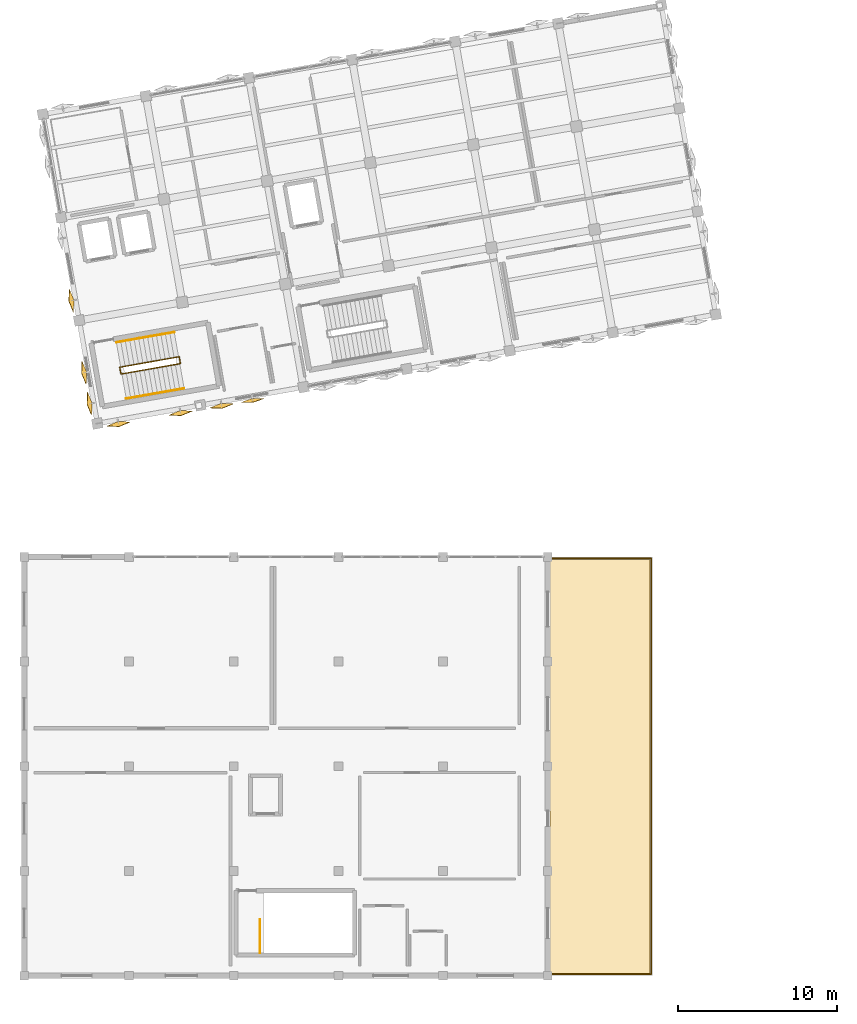
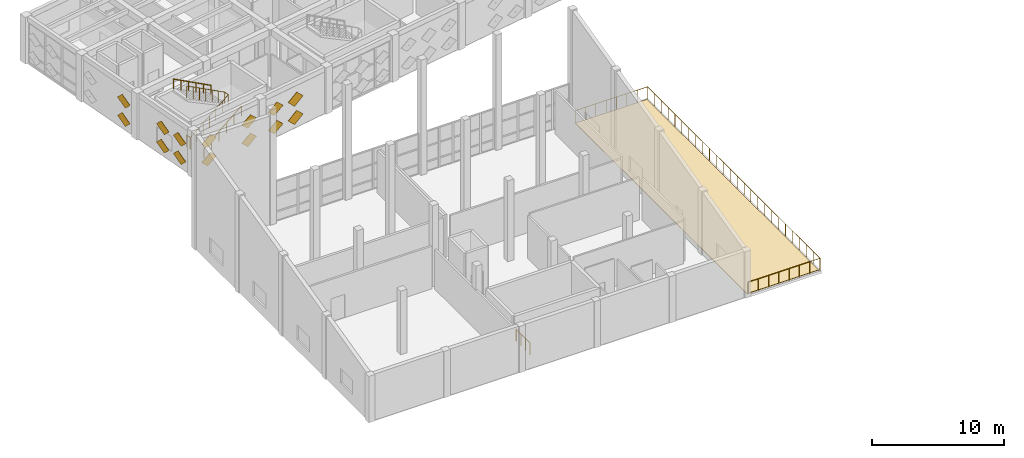
# One storey, part 36 of 39: 15 coverings, 6 railings.
"""IFC4 building model written with IfcOpenShell, lengths in metres."""

import ifcopenshell
import ifcopenshell.guid

model = None  # the IFC model being written
_history = None  # IfcOwnerHistory: only IFC2X3 demands one
_inside = {}  # id of a spatial element -> (the spatial element, [elements in it])
_under = {}  # id of a project, library or spatial element -> (it, [spatial elements below it])
_declared = {}  # id of a project -> (the project, [libraries it declares])
_typed = {}  # id of a type object -> (the type object, [elements of that type])
_made_of = {}  # id of a material, layer set ... -> (it, [elements and type objects made of it])


def new_model(schema):
    """Start an empty IFC model of exactly this schema.

    Asked for "IFC4X3", IfcOpenShell would pick the latest addendum, in which some entities
    have other attributes; the version numbers below select the first issue.
    IFC2X3 requires an IfcOwnerHistory on every rooted entity: one is made here for all.
    """
    global model, _history
    if schema == "IFC4X3":
        model = ifcopenshell.file(schema_version=(4, 3, 0, 0))
    else:
        model = ifcopenshell.file(schema=schema)
    _inside.clear()
    _under.clear()
    _declared.clear()
    _typed.clear()
    _made_of.clear()
    _history = None
    if model.schema == "IFC2X3":
        org = make("IfcOrganization", Name="unknown")
        user = make(
            "IfcPersonAndOrganization",
            ThePerson=make("IfcPerson", FamilyName="unknown"),
            TheOrganization=org,
        )
        app = make(
            "IfcApplication",
            ApplicationDeveloper=org,
            Version="unknown",
            ApplicationFullName="unknown",
            ApplicationIdentifier="unknown",
        )
        _history = make(
            "IfcOwnerHistory",
            OwningUser=user,
            OwningApplication=app,
            ChangeAction="ADDED",
            CreationDate=0,
        )
    return model


def make(cls, **values):
    """One entity of the class cls with the attributes given. An attribute that is None is left unset."""
    return model.create_entity(
        cls, **{name: value for name, value in values.items() if value is not None}
    )


def rooted(cls, **values):
    """An entity with a GlobalId (a new one), such as an element, a storey or a relation."""
    return make(cls, GlobalId=ifcopenshell.guid.new(), OwnerHistory=_history, **values)


def si_unit(unit_type, name, prefix=None):
    """IfcSIUnit, for example si_unit("LENGTHUNIT", "METRE", prefix="MILLI")."""
    return make("IfcSIUnit", UnitType=unit_type, Prefix=prefix, Name=name)


def assignment(units):
    """IfcUnitAssignment: the units of a project."""
    return None if units is None else make("IfcUnitAssignment", Units=units)


def point(xyz):
    """IfcCartesianPoint."""
    return None if xyz is None else make("IfcCartesianPoint", Coordinates=xyz)


def direction(xyz):
    """IfcDirection."""
    return None if xyz is None else make("IfcDirection", DirectionRatios=xyz)


def frame(location, z_axis=None, x_axis=None):
    """IfcAxis2Placement3D, a coordinate frame: its origin and axes. An axis left out is left unset."""
    return make(
        "IfcAxis2Placement3D",
        Location=point(location),
        Axis=direction(z_axis),
        RefDirection=direction(x_axis),
    )


def frame_2d(location, x_axis=None):
    """IfcAxis2Placement2D, a coordinate frame in the plane: its origin and x axis."""
    return make(
        "IfcAxis2Placement2D", Location=point(location), RefDirection=direction(x_axis)
    )


def origin():
    """The frame at (0, 0, 0) with its axes left unset."""
    return frame((0.0, 0.0, 0.0))


def origin_2d():
    """The frame at (0, 0) in the plane with its x axis left unset."""
    return frame_2d((0.0, 0.0))


def place(relative_to, where):
    """IfcLocalPlacement: puts the frame where relative to a parent placement (None: the world)."""
    return make(
        "IfcLocalPlacement", PlacementRelTo=relative_to, RelativePlacement=where
    )


def context(
    kind, dimensions, precision=None, world=None, true_north=None, identifier=None
):
    """IfcGeometricRepresentationContext, for example the 3D "Model" context."""
    return make(
        "IfcGeometricRepresentationContext",
        ContextIdentifier=identifier,
        ContextType=kind,
        CoordinateSpaceDimension=dimensions,
        Precision=precision,
        WorldCoordinateSystem=world,
        TrueNorth=true_north,
    )


def subcontext(parent, identifier, kind, view, scale=None):
    """IfcGeometricRepresentationSubContext, for example "Body" below "Model"."""
    return make(
        "IfcGeometricRepresentationSubContext",
        ContextIdentifier=identifier,
        ContextType=kind,
        ParentContext=parent,
        TargetScale=scale,
        TargetView=view,
    )


def project(units=None, contexts=None):
    """IfcProject with its units and contexts."""
    return rooted(
        "IfcProject",
        Name="project",
        RepresentationContexts=contexts,
        UnitsInContext=assignment(units),
    )


def spatial(cls, under=None, at=None, **own):
    """A site, building, storey or space (cls), placed at a placement, below another one or the project."""
    s = rooted(cls, ObjectPlacement=at, **own)
    if under is not None:
        _under.setdefault(under.id(), (under, []))[1].append(s)
    return s


def polyline(points):
    """IfcPolyline through the points."""
    return make("IfcPolyline", Points=[point(p) for p in points])


def profile(cls, at=None, kind="AREA", **sizes):
    """A parametric profile (cls). Its sizes go by their IFC names, for example OverallWidth=200.0."""
    return make(cls, ProfileType=kind, Position=at, **sizes)


def circle(**sizes):
    """IfcCircleProfileDef."""
    return profile("IfcCircleProfileDef", **sizes)


def outline(outer, holes=None, kind="AREA"):
    """IfcArbitraryClosedProfileDef: a profile drawn as a closed curve; with holes, ...WithVoids."""
    if holes is None:
        return make("IfcArbitraryClosedProfileDef", ProfileType=kind, OuterCurve=outer)
    return make(
        "IfcArbitraryProfileDefWithVoids",
        ProfileType=kind,
        OuterCurve=outer,
        InnerCurves=holes,
    )


def extrude(swept, where, along, depth):
    """IfcExtrudedAreaSolid: the profile swept, set in the frame where, extruded along a direction by depth."""
    return make(
        "IfcExtrudedAreaSolid",
        SweptArea=swept,
        Position=where,
        ExtrudedDirection=direction(along),
        Depth=depth,
    )


def shape(context_of_items, identifier, shape_type, items):
    """IfcShapeRepresentation: the items that make up one representation, for example the "Body"."""
    return make(
        "IfcShapeRepresentation",
        ContextOfItems=context_of_items,
        RepresentationIdentifier=identifier,
        RepresentationType=shape_type,
        Items=items,
    )


def material(Name=None, Category=None):
    """IfcMaterial."""
    return make("IfcMaterial", Name=Name, Category=Category)


def layer(
    of_material, thickness, ventilated=None, Name=None, Category=None, Priority=None
):
    """IfcMaterialLayer: one layer of a wall or slab, of a material (None: an air gap)."""
    return make(
        "IfcMaterialLayer",
        Material=of_material,
        LayerThickness=thickness,
        IsVentilated=ventilated,
        Name=Name,
        Category=Category,
        Priority=Priority,
    )


def layer_set(layers, Name=None):
    """IfcMaterialLayerSet."""
    return make("IfcMaterialLayerSet", MaterialLayers=layers, LayerSetName=Name)


def made_of(thing, what):
    """Note that an element or type object is made of a material, layer set ...; save() writes the relation."""
    if what is not None:
        _made_of.setdefault(what.id(), (what, []))[1].append(thing)
    return thing


def type_object(cls, material=None, **own):
    """A type object (cls), such as IfcWallType, which elements share."""
    return made_of(rooted(cls, **own), material)


def element(
    cls,
    number,
    at=None,
    inside=None,
    cuts=None,
    type_object=None,
    material=None,
    context=None,
    identifier="Body",
    shape_type=None,
    held_by="IfcProductDefinitionShape",
    body=None,
    shapes=None,
    **own,
):
    """One element of the class cls, such as IfcWall. Its Tag is "e" and its number.

    at: its placement. inside: the storey or other place that contains it. cuts: it is an
    opening in that element (IfcRelVoidsElement). A single representation is given by context,
    identifier, shape_type and body (its items); several are given by shapes. held_by: the class
    of the entity that holds the representations. save() writes the other relations.
    """
    e = rooted(cls, Tag="e%d" % number, ObjectPlacement=at, **own)
    if body is not None:
        shapes = [shape(context, identifier, shape_type, body)]
    if shapes is not None:
        e.Representation = make(held_by, Representations=shapes)
    if inside is not None:
        _inside.setdefault(inside.id(), (inside, []))[1].append(e)
    if cuts is not None:
        rooted(
            "IfcRelVoidsElement", RelatingBuildingElement=cuts, RelatedOpeningElement=e
        )
    if type_object is not None:
        _typed.setdefault(type_object.id(), (type_object, []))[1].append(e)
    return made_of(e, material)


def aggregate(whole, parts):
    """IfcRelAggregates: a whole, such as a stair, and the parts it consists of."""
    return rooted("IfcRelAggregates", RelatingObject=whole, RelatedObjects=parts)


def save(model, path):
    """Write the relations noted so far, then the file.

    IfcRelAggregates (storeys below a building ...), IfcRelContainedInSpatialStructure (elements
    in a storey), IfcRelDefinesByType, IfcRelAssociatesMaterial and IfcRelDeclares: one each for
    every whole, place, type object, material and project.
    """
    for whole, parts in _under.values():
        aggregate(whole, parts)
    for where, things in _inside.values():
        rooted(
            "IfcRelContainedInSpatialStructure",
            RelatedElements=things,
            RelatingStructure=where,
        )
    for kind, things in _typed.values():
        rooted("IfcRelDefinesByType", RelatedObjects=things, RelatingType=kind)
    for what, things in _made_of.values():
        rooted("IfcRelAssociatesMaterial", RelatedObjects=things, RelatingMaterial=what)
    for by, libraries in _declared.values():
        rooted("IfcRelDeclares", RelatingContext=by, RelatedDefinitions=libraries)
    model.write(path)


model = new_model("IFC4")

# Units and contexts
model_context = context("Model", 3, precision=1e-05, world=origin(), true_north=direction((0.0, 1.0)))
body_context = subcontext(model_context, "Body", "Model", "MODEL_VIEW")
ifc_project = project(units=[si_unit("LENGTHUNIT", "METRE"), si_unit("AREAUNIT", "SQUARE_METRE"), si_unit("VOLUMEUNIT", "CUBIC_METRE"), si_unit("PLANEANGLEUNIT", "RADIAN"), si_unit("MASSUNIT", "GRAM", prefix="KILO")], contexts=[model_context])

# Site, building, storey
site_placement = place(None, origin())
site = spatial("IfcSite", under=ifc_project, at=site_placement, CompositionType="ELEMENT")
building_placement = place(site_placement, origin())
building = spatial("IfcBuilding", under=site, at=building_placement, Name="Kharisveld Research Institute", CompositionType="ELEMENT")
storey_placement = place(building_placement, frame((0.0, 0.0, 18.60009765625)))
storey = spatial("IfcBuildingStorey", under=building, at=storey_placement, Name="L04", CompositionType="ELEMENT", Elevation=18.60009765625)

# Covering
ifc_material_1 = material(Name="High-Albedo TPO Roof Membrane", Category="mineral")
ifc_layer = layer(ifc_material_1, 0.034912109375)
ifc_layer_set = layer_set([ifc_layer], Name="CV_ROOF_EPDM")
covering_type_1 = type_object("IfcCoveringType", Name="CV_ROOF_EPDM", PredefinedType="ROOFING", material=ifc_layer_set)
covering_1_placement = place(storey_placement, origin())
element("IfcCovering", 1, at=covering_1_placement, inside=storey, type_object=covering_type_1, Name="COV:V3:L04:TERMEM", PredefinedType="ROOFING", context=body_context, shape_type="SweptSolid", body=[
    extrude(outline(polyline([(33.75, 0.35009765625), (40.050048828125, 0.35009765625), (40.050048828125, 26.449951171875), (33.75, 26.449951171875), (33.75, 0.35009765625)])), origin(), (0.0, 0.0, 1.0), 0.034912109375),
])

# Railings
ifc_material_2 = material(Name="Steel S355JR", Category="steel")
railing_type_1 = type_object("IfcRailingType", Name="RL_GRD_STR", PredefinedType="GUARDRAIL", material=ifc_material_2)
railing_1_placement = place(storey_placement, frame((6.75048828125, 38.13671875, 0.0)))
element("IfcRailing", 2, at=railing_1_placement, inside=storey, type_object=railing_type_1, Name="RLG:ST1:L04:GRD_SLOT", PredefinedType="GUARDRAIL", context=body_context, shape_type="SweptSolid", body=[
    extrude(circle(Radius=0.02392578125, at=origin_2d()), frame((0.0, 0.0, 1.09619140625), z_axis=(0.84417332575, 0.148863291176, 0.514986520826), x_axis=(-0.173662611611, 0.984805207809, 0.0)), (0.0, 0.0, 1.0), 4.369140625),
    extrude(circle(Radius=0.02392578125, at=origin_2d()), frame((3.688232421875, 0.650390625, 3.34619140625), z_axis=(-0.173658729201, 0.984805892434, 0.0), x_axis=(-0.984805892434, -0.173658729201, 0.0)), (0.0, 0.0, 1.0), 0.43994140625),
    extrude(circle(Radius=0.02392578125, at=origin_2d()), frame((3.61181640625, 1.083740234375, 3.34619140625), z_axis=(-0.844157266411, -0.148870313632, 0.515010814726), x_axis=(0.173673761132, -0.984803241614, 0.0)), (0.0, 0.0, 1.0), 4.368896484375),
    extrude(circle(Radius=0.02099609375, at=origin_2d()), origin(), (0.0, 0.0, 1.0), 1.072021484375),
    extrude(circle(Radius=0.02099609375, at=origin_2d()), frame((0.61474609375, 0.1083984375, 0.375)), (0.0, 0.0, 1.0), 1.072021484375),
    extrude(circle(Radius=0.02099609375, at=origin_2d()), frame((1.2294921875, 0.216796875, 0.75)), (0.0, 0.0, 1.0), 1.072021484375),
    extrude(circle(Radius=0.02099609375, at=origin_2d()), frame((1.84423828125, 0.3251953125, 1.125)), (0.0, 0.0, 1.0), 1.072021484375),
    extrude(circle(Radius=0.02099609375, at=origin_2d()), frame((2.458740234375, 0.43359375, 1.5)), (0.0, 0.0, 1.0), 1.072021484375),
    extrude(circle(Radius=0.02099609375, at=origin_2d()), frame((3.073486328125, 0.5419921875, 1.875)), (0.0, 0.0, 1.0), 1.072021484375),
    extrude(circle(Radius=0.02099609375, at=origin_2d()), frame((3.688232421875, 0.650390625, 2.25)), (0.0, 0.0, 1.0), 1.072021484375),
    extrude(circle(Radius=0.02099609375, at=origin_2d()), frame((3.61181640625, 1.083740234375, 2.25)), (0.0, 0.0, 1.0), 1.072021484375),
    extrude(circle(Radius=0.02099609375, at=origin_2d()), frame((2.9970703125, 0.975341796875, 2.625)), (0.0, 0.0, 1.0), 1.072021484375),
    extrude(circle(Radius=0.02099609375, at=origin_2d()), frame((2.382568359375, 0.866943359375, 3.0)), (0.0, 0.0, 1.0), 1.072021484375),
    extrude(circle(Radius=0.02099609375, at=origin_2d()), frame((1.767822265625, 0.758544921875, 3.375)), (0.0, 0.0, 1.0), 1.072021484375),
    extrude(circle(Radius=0.02099609375, at=origin_2d()), frame((1.153076171875, 0.650146484375, 3.75)), (0.0, 0.0, 1.0), 1.072021484375),
    extrude(circle(Radius=0.02099609375, at=origin_2d()), frame((0.53857421875, 0.541748046875, 4.125)), (0.0, 0.0, 1.0), 1.072021484375),
    extrude(circle(Radius=0.02099609375, at=origin_2d()), frame((-0.076171875, 0.433349609375, 4.5)), (0.0, 0.0, 1.0), 1.072021484375),
])
railing_2_placement = place(storey_placement, frame((6.69140625, 38.12646484375, 0.0)))
element("IfcRailing", 3, at=railing_2_placement, inside=storey, type_object=railing_type_1, Name="RLG:ST1:L04:GRD_FLRSLOT", PredefinedType="GUARDRAIL", context=body_context, shape_type="SweptSolid", body=[
    extrude(circle(Radius=0.02392578125, at=origin_2d()), frame((0.0, 0.0, 1.09619140625), z_axis=(-0.173753665698, 0.984789146801, 0.0), x_axis=(-0.984789146801, -0.173753665698, 0.0)), (0.0, 0.0, 1.0), 0.439697265625),
    extrude(circle(Radius=0.02099609375, at=origin_2d()), origin(), (0.0, 0.0, 1.0), 1.072021484375),
    extrude(circle(Radius=0.02099609375, at=origin_2d()), frame((-0.076416015625, 0.43310546875, 0.0)), (0.0, 0.0, 1.0), 1.072021484375),
])
railing_3_placement = place(storey_placement, frame((15.4599609375, 1.6298828125, 0.0)))
element("IfcRailing", 4, at=railing_3_placement, inside=storey, type_object=railing_type_1, Name="RLG:STR:ST4:L04:TOPVOID", PredefinedType="GUARDRAIL", context=body_context, shape_type="SweptSolid", body=[
    extrude(circle(Radius=0.02392578125, at=origin_2d()), frame((0.0, 0.0, 1.09619140625), z_axis=(0.0, 1.0, 0.0), x_axis=(-1.0, 0.0, 0.0)), (0.0, 0.0, 1.0), 2.10009765625),
    extrude(circle(Radius=0.02099609375, at=origin_2d()), origin(), (0.0, 0.0, 1.0), 1.072021484375),
    extrude(circle(Radius=0.02099609375, at=origin_2d()), frame((0.0, 0.699951171875, 0.0)), (0.0, 0.0, 1.0), 1.072021484375),
    extrude(circle(Radius=0.02099609375, at=origin_2d()), frame((0.0, 1.400146484375, 0.0)), (0.0, 0.0, 1.0), 1.072021484375),
    extrude(circle(Radius=0.02099609375, at=origin_2d()), frame((0.0, 2.10009765625, 0.0)), (0.0, 0.0, 1.0), 1.072021484375),
])
ifc_material_3 = material(Name="Steel S355JR", Category="steel")
railing_type_2 = type_object("IfcRailingType", Name="RL_GRD_TER", PredefinedType="GUARDRAIL", material=ifc_material_3)
railing_4_placement = place(storey_placement, frame((33.800048828125, 0.280029296875, 0.0)))
element("IfcRailing", 5, at=railing_4_placement, inside=storey, type_object=railing_type_2, Name="RLG:V3:L04:TERRACE", PredefinedType="GUARDRAIL", context=body_context, shape_type="SweptSolid", body=[
    extrude(circle(Radius=0.02392578125, at=origin_2d()), frame((0.0, 0.0, 1.1259765625), z_axis=(1.0, 0.0, 0.0), x_axis=(0.0, 1.0, 0.0)), (0.0, 0.0, 1.0), 6.320068359375),
    extrude(circle(Radius=0.02392578125, at=origin_2d()), frame((6.320068359375, 0.0, 1.1259765625), z_axis=(0.0, 1.0, 0.0), x_axis=(-1.0, 0.0, 0.0)), (0.0, 0.0, 1.0), 26.239990234375),
    extrude(circle(Radius=0.02392578125, at=origin_2d()), frame((6.320068359375, 26.239990234375, 1.1259765625), z_axis=(-1.0, 0.0, 0.0), x_axis=(0.0, -1.0, 0.0)), (0.0, 0.0, 1.0), 6.320068359375),
    extrude(circle(Radius=0.02099609375, at=origin_2d()), origin(), (0.0, 0.0, 1.0), 1.101806640625),
    extrude(circle(Radius=0.02099609375, at=origin_2d()), frame((0.90283203125, 0.0, 0.0)), (0.0, 0.0, 1.0), 1.101806640625),
    extrude(circle(Radius=0.02099609375, at=origin_2d()), frame((1.8056640625, 0.0, 0.0)), (0.0, 0.0, 1.0), 1.101806640625),
    extrude(circle(Radius=0.02099609375, at=origin_2d()), frame((2.70849609375, 0.0, 0.0)), (0.0, 0.0, 1.0), 1.101806640625),
    extrude(circle(Radius=0.02099609375, at=origin_2d()), frame((3.611572265625, 0.0, 0.0)), (0.0, 0.0, 1.0), 1.101806640625),
    extrude(circle(Radius=0.02099609375, at=origin_2d()), frame((4.514404296875, 0.0, 0.0)), (0.0, 0.0, 1.0), 1.101806640625),
    extrude(circle(Radius=0.02099609375, at=origin_2d()), frame((5.417236328125, 0.0, 0.0)), (0.0, 0.0, 1.0), 1.101806640625),
    extrude(circle(Radius=0.02099609375, at=origin_2d()), frame((6.320068359375, 0.0, 0.0)), (0.0, 0.0, 1.0), 1.101806640625),
    extrude(circle(Radius=0.02099609375, at=origin_2d()), frame((6.320068359375, 1.049560546875, 0.0)), (0.0, 0.0, 1.0), 1.101806640625),
    extrude(circle(Radius=0.02099609375, at=origin_2d()), frame((6.320068359375, 2.09912109375, 0.0)), (0.0, 0.0, 1.0), 1.101806640625),
    extrude(circle(Radius=0.02099609375, at=origin_2d()), frame((6.320068359375, 3.148681640625, 0.0)), (0.0, 0.0, 1.0), 1.101806640625),
    extrude(circle(Radius=0.02099609375, at=origin_2d()), frame((6.320068359375, 4.198486328125, 0.0)), (0.0, 0.0, 1.0), 1.101806640625),
    extrude(circle(Radius=0.02099609375, at=origin_2d()), frame((6.320068359375, 5.248046875, 0.0)), (0.0, 0.0, 1.0), 1.101806640625),
    extrude(circle(Radius=0.02099609375, at=origin_2d()), frame((6.320068359375, 6.297607421875, 0.0)), (0.0, 0.0, 1.0), 1.101806640625),
    extrude(circle(Radius=0.02099609375, at=origin_2d()), frame((6.320068359375, 7.34716796875, 0.0)), (0.0, 0.0, 1.0), 1.101806640625),
    extrude(circle(Radius=0.02099609375, at=origin_2d()), frame((6.320068359375, 8.396728515625, 0.0)), (0.0, 0.0, 1.0), 1.101806640625),
    extrude(circle(Radius=0.02099609375, at=origin_2d()), frame((6.320068359375, 9.4462890625, 0.0)), (0.0, 0.0, 1.0), 1.101806640625),
    extrude(circle(Radius=0.02099609375, at=origin_2d()), frame((6.320068359375, 10.49609375, 0.0)), (0.0, 0.0, 1.0), 1.101806640625),
    extrude(circle(Radius=0.02099609375, at=origin_2d()), frame((6.320068359375, 11.545654296875, 0.0)), (0.0, 0.0, 1.0), 1.101806640625),
    extrude(circle(Radius=0.02099609375, at=origin_2d()), frame((6.320068359375, 12.59521484375, 0.0)), (0.0, 0.0, 1.0), 1.101806640625),
    extrude(circle(Radius=0.02099609375, at=origin_2d()), frame((6.320068359375, 13.644775390625, 0.0)), (0.0, 0.0, 1.0), 1.101806640625),
    extrude(circle(Radius=0.02099609375, at=origin_2d()), frame((6.320068359375, 14.6943359375, 0.0)), (0.0, 0.0, 1.0), 1.101806640625),
    extrude(circle(Radius=0.02099609375, at=origin_2d()), frame((6.320068359375, 15.743896484375, 0.0)), (0.0, 0.0, 1.0), 1.101806640625),
    extrude(circle(Radius=0.02099609375, at=origin_2d()), frame((6.320068359375, 16.793701171875, 0.0)), (0.0, 0.0, 1.0), 1.101806640625),
    extrude(circle(Radius=0.02099609375, at=origin_2d()), frame((6.320068359375, 17.84326171875, 0.0)), (0.0, 0.0, 1.0), 1.101806640625),
    extrude(circle(Radius=0.02099609375, at=origin_2d()), frame((6.320068359375, 18.892822265625, 0.0)), (0.0, 0.0, 1.0), 1.101806640625),
    extrude(circle(Radius=0.02099609375, at=origin_2d()), frame((6.320068359375, 19.9423828125, 0.0)), (0.0, 0.0, 1.0), 1.101806640625),
    extrude(circle(Radius=0.02099609375, at=origin_2d()), frame((6.320068359375, 20.991943359375, 0.0)), (0.0, 0.0, 1.0), 1.101806640625),
    extrude(circle(Radius=0.02099609375, at=origin_2d()), frame((6.320068359375, 22.04150390625, 0.0)), (0.0, 0.0, 1.0), 1.101806640625),
    extrude(circle(Radius=0.02099609375, at=origin_2d()), frame((6.320068359375, 23.09130859375, 0.0)), (0.0, 0.0, 1.0), 1.101806640625),
    extrude(circle(Radius=0.02099609375, at=origin_2d()), frame((6.320068359375, 24.140869140625, 0.0)), (0.0, 0.0, 1.0), 1.101806640625),
    extrude(circle(Radius=0.02099609375, at=origin_2d()), frame((6.320068359375, 25.1904296875, 0.0)), (0.0, 0.0, 1.0), 1.101806640625),
    extrude(circle(Radius=0.02099609375, at=origin_2d()), frame((6.320068359375, 26.239990234375, 0.0)), (0.0, 0.0, 1.0), 1.101806640625),
    extrude(circle(Radius=0.02099609375, at=origin_2d()), frame((5.417236328125, 26.239990234375, 0.0)), (0.0, 0.0, 1.0), 1.101806640625),
    extrude(circle(Radius=0.02099609375, at=origin_2d()), frame((4.514404296875, 26.239990234375, 0.0)), (0.0, 0.0, 1.0), 1.101806640625),
    extrude(circle(Radius=0.02099609375, at=origin_2d()), frame((3.611572265625, 26.239990234375, 0.0)), (0.0, 0.0, 1.0), 1.101806640625),
    extrude(circle(Radius=0.02099609375, at=origin_2d()), frame((2.70849609375, 26.239990234375, 0.0)), (0.0, 0.0, 1.0), 1.101806640625),
    extrude(circle(Radius=0.02099609375, at=origin_2d()), frame((1.8056640625, 26.239990234375, 0.0)), (0.0, 0.0, 1.0), 1.101806640625),
    extrude(circle(Radius=0.02099609375, at=origin_2d()), frame((0.90283203125, 26.239990234375, 0.0)), (0.0, 0.0, 1.0), 1.101806640625),
    extrude(circle(Radius=0.02099609375, at=origin_2d()), frame((0.0, 26.239990234375, 0.0)), (0.0, 0.0, 1.0), 1.101806640625),
])
ifc_material_4 = material(Name="Stainless Steel 316", Category="steel")
railing_type_3 = type_object("IfcRailingType", Name="RL_HND_STR", PredefinedType="HANDRAIL", material=ifc_material_4)
railing_5_placement = place(storey_placement, frame((7.02490234375, 36.580810546875, 0.0)))
element("IfcRailing", 6, at=railing_5_placement, inside=storey, type_object=railing_type_3, Name="RLG:ST1:L04:HR1", PredefinedType="HANDRAIL", context=body_context, shape_type="SweptSolid", body=[
    extrude(circle(Radius=0.02392578125, at=origin_2d()), frame((0.0, 0.0, 0.89599609375), z_axis=(0.841746897377, 0.148411045473, 0.519072559801), x_axis=(-0.173634966033, 0.984810082488, 0.0)), (0.0, 0.0, 1.0), 4.334716796875),
    extrude(circle(Radius=0.02099609375, at=origin_2d()), origin(), (0.0, 0.0, 1.0), 0.871826171875),
    extrude(circle(Radius=0.02099609375, at=origin_2d()), frame((0.729736328125, 0.128662109375, 0.449951171875)), (0.0, 0.0, 1.0), 0.871826171875),
    extrude(circle(Radius=0.02099609375, at=origin_2d()), frame((1.45947265625, 0.25732421875, 0.89990234375)), (0.0, 0.0, 1.0), 0.871826171875),
    extrude(circle(Radius=0.02099609375, at=origin_2d()), frame((2.189208984375, 0.385986328125, 1.35009765625)), (0.0, 0.0, 1.0), 0.871826171875),
    extrude(circle(Radius=0.02099609375, at=origin_2d()), frame((2.9189453125, 0.5146484375, 1.800048828125)), (0.0, 0.0, 1.0), 0.871826171875),
    extrude(circle(Radius=0.02099609375, at=origin_2d()), frame((3.648681640625, 0.643310546875, 2.25)), (0.0, 0.0, 1.0), 0.871826171875),
])
railing_6_placement = place(storey_placement, frame((10.048583984375, 40.76953125, 2.25)))
element("IfcRailing", 7, at=railing_6_placement, inside=storey, type_object=railing_type_3, Name="RLG:ST1:L04:HR2", PredefinedType="HANDRAIL", context=body_context, shape_type="SweptSolid", body=[
    extrude(circle(Radius=0.02392578125, at=origin_2d()), frame((0.0, 0.0, 0.89599609375), z_axis=(-0.841739860008, -0.148466127198, 0.519068220129), x_axis=(0.173698873865, -0.984798812559, 0.0)), (0.0, 0.0, 1.0), 4.334716796875),
    extrude(circle(Radius=0.02099609375, at=origin_2d()), origin(), (0.0, 0.0, 1.0), 0.871826171875),
    extrude(circle(Radius=0.02099609375, at=origin_2d()), frame((-0.729736328125, -0.128662109375, 0.449951171875)), (0.0, 0.0, 1.0), 0.871826171875),
    extrude(circle(Radius=0.02099609375, at=origin_2d()), frame((-1.45947265625, -0.25732421875, 0.89990234375)), (0.0, 0.0, 1.0), 0.871826171875),
    extrude(circle(Radius=0.02099609375, at=origin_2d()), frame((-2.189208984375, -0.38623046875, 1.35009765625)), (0.0, 0.0, 1.0), 0.871826171875),
    extrude(circle(Radius=0.02099609375, at=origin_2d()), frame((-2.9189453125, -0.514892578125, 1.800048828125)), (0.0, 0.0, 1.0), 0.871826171875),
    extrude(circle(Radius=0.02099609375, at=origin_2d()), frame((-3.648681640625, -0.6435546875, 2.25)), (0.0, 0.0, 1.0), 0.871826171875),
])

# Coverings
ifc_material_5 = material(Name="White Powder-Coated Perforated Aluminium", Category="aluminium")
covering_type_2 = type_object("IfcCoveringType", Name="CV_DIA_105", PredefinedType="CLADDING")
for number, where, z_axis, x_axis, name in (
    (8, (4.874267578125, 36.2861328125, 0.324951171875), (0.961447488939, 0.169497253476, 0.216539620108), (-0.273555095257, 0.669826337005, 0.690290002907), "SHD:V1:L04:W0:S0C0"),
    (9, (4.874267578125, 36.2861328125, 2.025146484375), (0.961447488939, 0.169497253476, 0.216539620108), (-0.273555095257, 0.669826337005, 0.690290002907), "SHD:V1:L04:W0:S0C1"),
):
    element("IfcCovering", number, at=place(storey_placement, frame(where, z_axis=z_axis, x_axis=x_axis)), inside=storey, type_object=covering_type_2, material=ifc_material_5, Name=name, PredefinedType="CLADDING", context=body_context, shape_type="SweptSolid", body=[
        extrude(outline(polyline([(0.0, 0.0), (1.0501013287743868, 0.0), (1.0498908116789152, 1.0501299715118642), (1.9800637014233402e-05, 1.0499603251677767), (0.0, 0.0)])), origin(), (0.0, 0.0, -1.0), 0.02392578125),
    ])
for number, where, z_axis, x_axis, name in (
    (10, (4.529052734375, 38.24267578125, 0.324951171875), (0.961476347302, 0.169530643305, 0.21638529192), (-0.273471090272, 0.669725119033, 0.690421485559), "SHD:V1:L04:W0:S1C0"),
    (11, (4.529052734375, 38.24267578125, 2.025146484375), (0.961476347302, 0.169530643305, 0.21638529192), (-0.273471090272, 0.669725119033, 0.690421485559), "SHD:V1:L04:W0:S1C1"),
):
    element("IfcCovering", number, at=place(storey_placement, frame(where, z_axis=z_axis, x_axis=x_axis)), inside=storey, type_object=covering_type_2, material=ifc_material_5, Name=name, PredefinedType="CLADDING", context=body_context, shape_type="SweptSolid", body=[
        extrude(outline(polyline([(0.0, 0.0), (1.0498710291992122, 0.0), (1.0499937163043682, 1.0499534820137317), (0.00012268710515594972, 1.049953482013732), (0.0, 0.0)])), origin(), (0.0, 0.0, -1.0), 0.02392578125),
    ])
for number, where, z_axis, x_axis, name in (
    (12, (3.72802734375, 42.785888671875, 0.324951171875), (0.961481187298, 0.169503194288, 0.216385289699), (-0.273447448775, 0.669849989418, 0.690309701826), "SHD:V1:L04:W1:S0C0"),
    (13, (3.72802734375, 42.785888671875, 2.025146484375), (0.961481187298, 0.169503194288, 0.216385289699), (-0.273447448775, 0.669849989418, 0.690309701826), "SHD:V1:L04:W1:S0C1"),
):
    element("IfcCovering", number, at=place(storey_placement, frame(where, z_axis=z_axis, x_axis=x_axis)), inside=storey, type_object=covering_type_2, material=ifc_material_5, Name=name, PredefinedType="CLADDING", context=body_context, shape_type="SweptSolid", body=[
        extrude(outline(polyline([(0.0, 0.0), (1.0500345517563856, -1.1102230246251565e-16), (1.0498172010450848, 1.0501299743656882), (-5.381311622809637e-05, 1.0499534875988095), (0.0, 0.0)])), origin(), (0.0, 0.0, -1.0), 0.02392578125),
    ])
covering_2_placement = place(storey_placement, frame((14.973388671875, 36.59375, 0.317626953125), z_axis=(-0.171260983897, 0.971289803558, 0.165123568578), x_axis=(-0.67604629243, -0.23777103681, 0.697442717753)))
element("IfcCovering", 14, at=covering_2_placement, inside=storey, type_object=covering_type_2, material=ifc_material_5, Name="SHD:V1:L04:S2:S1C0", PredefinedType="CLADDING", context=body_context, shape_type="SweptSolid", body=[
    extrude(outline(polyline([(0.0, 0.0), (1.049780098206416, 0.0), (1.0500015424873141, 1.050083198396327), (-6.879389649716572e-06, 1.0499148526388677), (0.0, 0.0)])), origin(), (0.0, 0.0, -1.0), 0.02392578125),
])
covering_3_placement = place(storey_placement, frame((14.973388671875, 36.59375, 2.017578125), z_axis=(-0.171260983897, 0.971289803558, 0.165123568578), x_axis=(-0.675930071115, -0.237769766688, 0.697555787741)))
element("IfcCovering", 15, at=covering_3_placement, inside=storey, type_object=covering_type_2, material=ifc_material_5, Name="SHD:V1:L04:S2:S1C1", PredefinedType="CLADDING", context=body_context, shape_type="SweptSolid", body=[
    extrude(outline(polyline([(0.0, 0.0), (1.0499503861110382, 2.220446049250313e-16), (1.0501718035814118, 1.0499129229334039), (0.0003336699169195212, 1.0500850657008003), (0.0, 0.0)])), origin(), (0.0, 0.0, -1.0), 0.02392578125),
])
for number, where, z_axis, x_axis, name in (
    (16, (13.01025390625, 36.286376953125, 0.324951171875), (-0.169497253476, 0.961447488939, 0.216539620108), (-0.669709514325, -0.273559622879, 0.690401549211), "SHD:V1:L04:S2:S2C0"),
    (17, (13.01025390625, 36.286376953125, 2.025146484375), (-0.169497253476, 0.961447488939, 0.216539620108), (-0.669709514325, -0.273559622879, 0.690401549211), "SHD:V1:L04:S2:S2C1"),
):
    element("IfcCovering", number, at=place(storey_placement, frame(where, z_axis=z_axis, x_axis=x_axis)), inside=storey, type_object=covering_type_2, material=ifc_material_5, Name=name, PredefinedType="CLADDING", context=body_context, shape_type="SweptSolid", body=[
        extrude(outline(polyline([(0.0, 0.0), (1.0498710247482905, 1.1102230246251565e-16), (1.0500604861589913, 1.0499603082606803), (-4.0828905999434895e-05, 1.0501299918190874), (0.0, 0.0)])), origin(), (0.0, 0.0, -1.0), 0.02392578125),
    ])
for number, where, z_axis, x_axis, name in (
    (18, (10.423583984375, 35.830322265625, 0.324951171875), (-0.169497253476, 0.961447488939, 0.216539620108), (-0.669826337005, -0.273555095257, 0.690290002907), "SHD:V1:L04:S1:S0C0"),
    (19, (10.423583984375, 35.830322265625, 2.025146484375), (-0.169497253476, 0.961447488939, 0.216539620108), (-0.669826337005, -0.273555095257, 0.690290002907), "SHD:V1:L04:S1:S0C1"),
):
    element("IfcCovering", number, at=place(storey_placement, frame(where, z_axis=z_axis, x_axis=x_axis)), inside=storey, type_object=covering_type_2, material=ifc_material_5, Name=name, PredefinedType="CLADDING", context=body_context, shape_type="SweptSolid", body=[
        extrude(outline(polyline([(0.0, 0.0), (1.0501013287743868, 0.0), (1.0498908116789152, 1.0501299715118642), (1.9800637014233402e-05, 1.0499603251677767), (0.0, 0.0)])), origin(), (0.0, 0.0, -1.0), 0.02392578125),
    ])
for number, where, z_axis, x_axis, name in (
    (20, (6.5107421875, 35.140380859375, 0.324951171875), (-0.169498301082, 0.961453431325, 0.216512413788), (-0.669829678259, -0.273536150679, 0.690294267972), "SHD:V1:L04:S1:S2C0"),
    (21, (6.5107421875, 35.140380859375, 2.025146484375), (-0.169498301082, 0.961453431325, 0.216512413788), (-0.669829678259, -0.273536150679, 0.690294267972), "SHD:V1:L04:S1:S2C1"),
):
    element("IfcCovering", number, at=place(storey_placement, frame(where, z_axis=z_axis, x_axis=x_axis)), inside=storey, type_object=covering_type_2, material=ifc_material_5, Name=name, PredefinedType="CLADDING", context=body_context, shape_type="SweptSolid", body=[
        extrude(outline(polyline([(0.0, 0.0), (1.050101326665668, -1.1102230246251565e-16), (1.050054341798497, 1.049953481570866), (1.9796419616024963e-05, 1.0499603230588543), (0.0, 0.0)])), origin(), (0.0, 0.0, -1.0), 0.02392578125),
    ])

save(model, "model.ifc")
